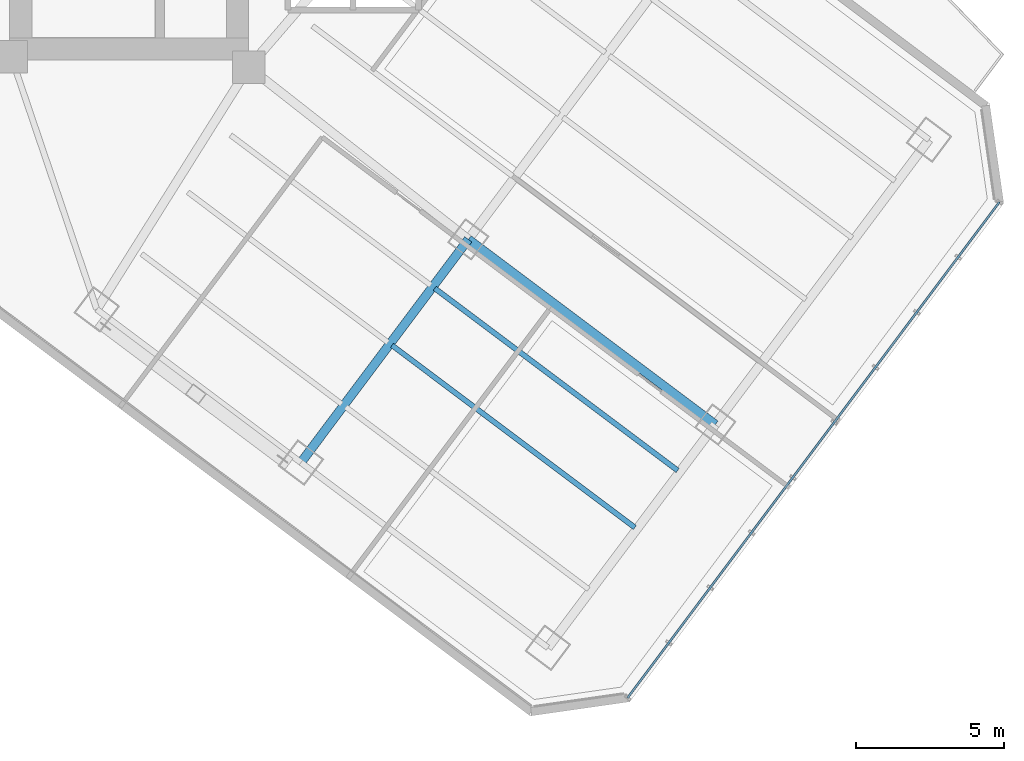
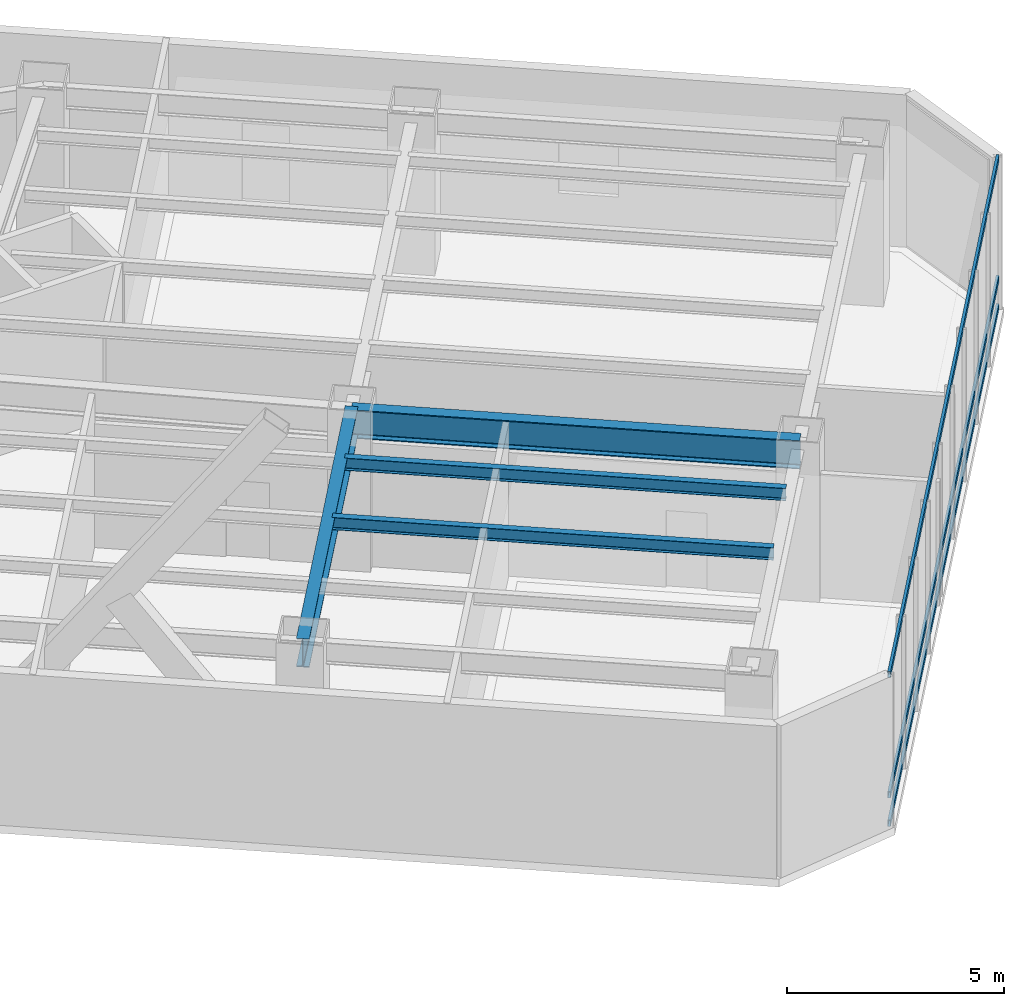
# One storey, part 7 of 29: 4 beams, 3 members, 1 element without a shape of its own.
"""IFC4 building model written with IfcOpenShell, lengths in metres."""

from ifc_helpers import new_model, si_unit, direction, frame, origin, origin_2d, place, context, subcontext, project, spatial, hollow_rectangle, i_section, extrude, material, layer, layer_set, material_profile, profile_set, type_object, element, aggregate, save


model = new_model("IFC4")

# Units and contexts
model_context = context("Model", 3, precision=1e-05, world=origin(), true_north=direction((0.0, 1.0)))
body_context = subcontext(model_context, "Body", "Model", "MODEL_VIEW")
ifc_project = project(units=[si_unit("LENGTHUNIT", "METRE"), si_unit("AREAUNIT", "SQUARE_METRE"), si_unit("VOLUMEUNIT", "CUBIC_METRE"), si_unit("PLANEANGLEUNIT", "RADIAN"), si_unit("MASSUNIT", "GRAM", prefix="KILO")], contexts=[model_context])

# Site, building, storey
site_placement = place(None, origin())
site = spatial("IfcSite", under=ifc_project, at=site_placement, CompositionType="ELEMENT")
building_placement = place(site_placement, origin())
building = spatial("IfcBuilding", under=site, at=building_placement, Name="Hatsunagi Terrace Concourse", CompositionType="ELEMENT")
storey_placement = place(building_placement, frame((0.0, 0.0, 32.10009765625)))
storey = spatial("IfcBuildingStorey", under=building, at=storey_placement, Name="L07", CompositionType="ELEMENT", Elevation=32.10009765625)

# Curtain wall, members
ifc_material_1 = material(Name="Anodised Aluminium Alloy 6063-T5", Category="aluminium")
ifc_layer = layer(ifc_material_1, 0.199951171875)
ifc_layer_set = layer_set([ifc_layer], Name="SkyLobbyAtrium_CW05")
curtain_wall_type = type_object("IfcCurtainWallType", Name="SkyLobbyAtrium_CW05", PredefinedType="NOTDEFINED", material=ifc_layer_set)
curtain_wall_placement = place(storey_placement, origin())
curtain_wall = element("IfcCurtainWall", 1, at=curtain_wall_placement, inside=storey, type_object=curtain_wall_type, Name="Unitised Curtain Wall CW-05 CW-L07-03", PredefinedType="NOTDEFINED")
ifc_material_2 = material(Name="Anodised Aluminium Alloy 6063-T5", Category="aluminium")
ifc_material_profile_1 = material_profile(ifc_material_2, hollow_rectangle(XDim=0.070068359375, YDim=0.179931640625, WallThickness=0.00390625, at=origin_2d()), Name="ALU-TRN-180x70x4")
ifc_profile_set_1 = profile_set([ifc_material_profile_1], Name="Anodised Aluminium Alloy 6063-T5")
member_type = type_object("IfcMemberType", Name="CurtainWallTransom_Heavy_180x70", PredefinedType="USERDEFINED", material=ifc_profile_set_1)
member_1_placement = place(storey_placement, frame((69.093017578125, 19.657958984375, 0.0498046875), z_axis=(-0.599970072971, -0.800022444397, 0.0), x_axis=(0.800022444397, -0.599970072971, 0.0)))
member_1 = element("IfcMember", 2, at=member_1_placement, type_object=member_type, Name="Curtain Wall Transom TRN-01", ObjectType="TRANSOM", PredefinedType="USERDEFINED", context=body_context, shape_type="SweptSolid", body=[
    extrude(hollow_rectangle(XDim=0.070068359375, YDim=0.179931640625, WallThickness=0.00390625, at=origin_2d()), origin(), (0.0, 0.0, 1.0), 20.884521484375),
])
member_2_placement = place(storey_placement, frame((69.093017578125, 19.657958984375, 0.849853515625), z_axis=(-0.599970072971, -0.800022444397, 0.0), x_axis=(0.800022444397, -0.599970072971, 0.0)))
member_2 = element("IfcMember", 3, at=member_2_placement, type_object=member_type, Name="Curtain Wall Transom TRN-01", ObjectType="TRANSOM", PredefinedType="USERDEFINED", context=body_context, shape_type="SweptSolid", body=[
    extrude(hollow_rectangle(XDim=0.070068359375, YDim=0.179931640625, WallThickness=0.00390625, at=origin_2d()), origin(), (0.0, 0.0, 1.0), 20.884521484375),
])
member_3_placement = place(storey_placement, frame((69.093017578125, 19.657958984375, 4.22998046875), z_axis=(-0.599970072971, -0.800022444397, 0.0), x_axis=(0.800022444397, -0.599970072971, 0.0)))
member_3 = element("IfcMember", 4, at=member_3_placement, type_object=member_type, Name="Curtain Wall Transom TRN-01", ObjectType="TRANSOM", PredefinedType="USERDEFINED", context=body_context, shape_type="SweptSolid", body=[
    extrude(hollow_rectangle(XDim=0.070068359375, YDim=0.179931640625, WallThickness=0.00390625, at=origin_2d()), origin(), (0.0, 0.0, 1.0), 20.884521484375),
])
aggregate(curtain_wall, [member_1, member_2, member_3])

# Beams
ifc_material_3 = material(Name="Steel SN490B", Category="steel")
ifc_material_profile_2 = material_profile(ifc_material_3, i_section(OverallWidth=0.175048828125, OverallDepth=0.35009765625, WebThickness=0.007080078125, FlangeThickness=0.010986328125, FilletRadius=0.012939453125, at=origin_2d()), Name="H-350x175x7x11")
ifc_profile_set_2 = profile_set([ifc_material_profile_2], Name="Steel SN490B")
beam_type_1 = type_object("IfcBeamType", Name="HotelJoist_H_350x175", PredefinedType="JOIST", material=ifc_profile_set_2)
beam_1_placement = place(storey_placement, frame((48.6279296875, 14.8291015625, 4.10498046875), z_axis=(0.799994272423, -0.600007636694, 0.0), x_axis=(0.600007636694, 0.799994272423, 0.0)))
element("IfcBeam", 5, at=beam_1_placement, inside=storey, type_object=beam_type_1, Name="Beam J-02 J-L07-SE-3-72", PredefinedType="JOIST", context=body_context, shape_type="SweptSolid", body=[
    extrude(i_section(OverallWidth=0.175048828125, OverallDepth=0.35009765625, WebThickness=0.007080078125, FlangeThickness=0.010986328125, FilletRadius=0.012939453125, at=origin_2d()), origin(), (0.0, 0.0, 1.0), 10.230224609375),
])
beam_2_placement = place(storey_placement, frame((50.068115234375, 16.7490234375, 4.10498046875), z_axis=(0.799997136125, -0.600003818481, 0.0), x_axis=(0.600003818481, 0.799997136125, 0.0)))
element("IfcBeam", 6, at=beam_2_placement, inside=storey, type_object=beam_type_1, Name="Beam J-02 J-L07-SE-3-96", PredefinedType="JOIST", context=body_context, shape_type="SweptSolid", body=[
    extrude(i_section(OverallWidth=0.175048828125, OverallDepth=0.35009765625, WebThickness=0.007080078125, FlangeThickness=0.010986328125, FilletRadius=0.012939453125, at=origin_2d()), origin(), (0.0, 0.0, 1.0), 10.229736328125),
])
ifc_material_4 = material(Name="Steel SN490B", Category="steel")
ifc_material_profile_3 = material_profile(ifc_material_4, i_section(OverallWidth=0.300048828125, OverallDepth=0.800048828125, WebThickness=0.013916015625, FlangeThickness=0.02587890625, FilletRadius=0.02197265625, at=origin_2d()), Name="H-800x300x14x26")
ifc_profile_set_3 = profile_set([ifc_material_profile_3], Name="Steel SN490B")
beam_type_2 = type_object("IfcBeamType", Name="SkyLobbyGirder_H_800x300", PredefinedType="BEAM", material=ifc_profile_set_3)
beam_3_placement = place(storey_placement, frame((45.56005859375, 10.8798828125, 3.8798828125), z_axis=(0.599991688754, 0.800006233367, 0.0), x_axis=(-0.800006233367, 0.599991688754, 0.0)))
element("IfcBeam", 7, at=beam_3_placement, inside=storey, type_object=beam_type_2, Name="Beam G-03 BM-L07-SET-2A", PredefinedType="BEAM", context=body_context, shape_type="SweptSolid", body=[
    extrude(i_section(OverallWidth=0.300048828125, OverallDepth=0.800048828125, WebThickness=0.013916015625, FlangeThickness=0.02587890625, FilletRadius=0.02197265625, at=origin_2d()), origin(), (0.0, 0.0, 1.0), 9.39990234375),
])
beam_4_placement = place(storey_placement, frame((51.199951171875, 18.39990234375, 3.8798828125), z_axis=(0.800002816985, -0.599996244001, 0.0), x_axis=(0.599996244001, 0.800002816985, 0.0)))
element("IfcBeam", 8, at=beam_4_placement, inside=storey, type_object=beam_type_2, Name="Beam G-03 BM-L07-SE-M3", PredefinedType="BEAM", context=body_context, shape_type="SweptSolid", body=[
    extrude(i_section(OverallWidth=0.300048828125, OverallDepth=0.800048828125, WebThickness=0.013916015625, FlangeThickness=0.02587890625, FilletRadius=0.02197265625, at=origin_2d()), origin(), (0.0, 0.0, 1.0), 10.400146484375),
])

save(model, "model.ifc")
